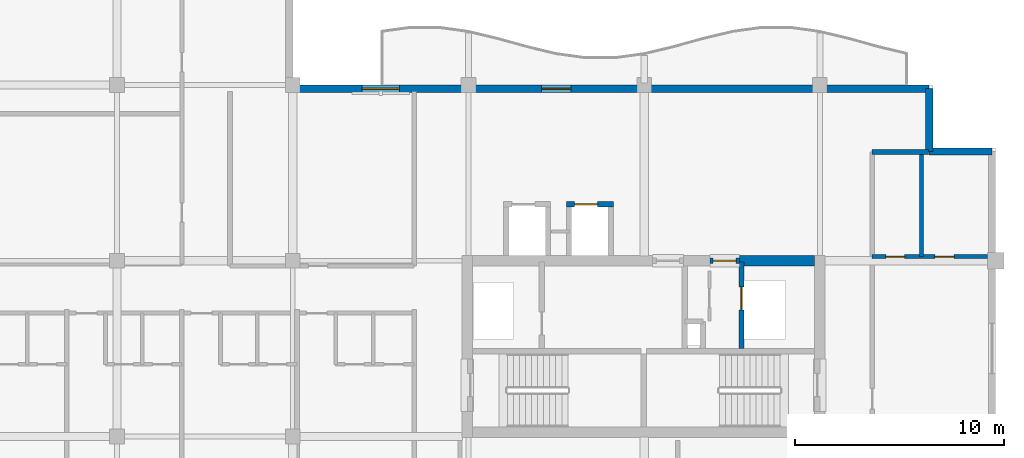
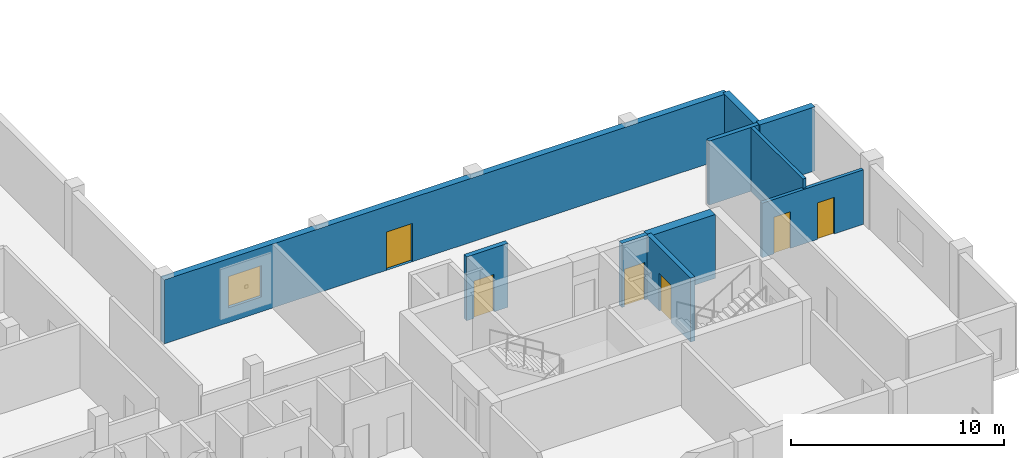
# One storey, part 5 of 12: 10 walls, 6 doors, 1 window, 7 openings.
"""IFC4 building model written with IfcOpenShell, lengths in metres."""

from ifc_helpers import new_model, si_unit, direction, frame, frame_2d, origin, place, context, subcontext, project, spatial, rectangle, extrude, material, layer, layer_set, type_object, element, fill, save


model = new_model("IFC4")

# Units and contexts
model_context = context("Model", 3, precision=1e-05, world=origin(), true_north=direction((0.0, 1.0)))
body_context = subcontext(model_context, "Body", "Model", "MODEL_VIEW")
ifc_project = project(units=[si_unit("LENGTHUNIT", "METRE"), si_unit("AREAUNIT", "SQUARE_METRE"), si_unit("VOLUMEUNIT", "CUBIC_METRE"), si_unit("PLANEANGLEUNIT", "RADIAN"), si_unit("MASSUNIT", "GRAM", prefix="KILO")], contexts=[model_context])

# Site, building, storey
site_placement = place(None, origin())
site = spatial("IfcSite", under=ifc_project, at=site_placement, CompositionType="ELEMENT")
building_placement = place(site_placement, origin())
building = spatial("IfcBuilding", under=site, at=building_placement, Name="Koriwani Terraces Tower", CompositionType="ELEMENT")
storey_placement = place(building_placement, frame((0.0, 0.0, 351.5)))
storey = spatial("IfcBuildingStorey", under=building, at=storey_placement, Name="L87", CompositionType="ELEMENT", Elevation=351.5)

# Walls
ifc_material_1 = material(Name="Concrete C50/60", Category="concrete")
ifc_layer_1 = layer(ifc_material_1, 0.5, Name="Concrete C50/60")
ifc_layer_set_1 = layer_set([ifc_layer_1], Name="Concrete C50/60")
wall_type_1 = type_object("IfcWallType", Name="WALL_CORE_RC_500", PredefinedType="SHEAR", material=ifc_layer_set_1)
wall_1_placement = place(storey_placement, frame((54.949951171875, 25.199951171875, 0.0), z_axis=(0.0, 0.0, 1.0), x_axis=(1.0, 0.0, 0.0)))
element("IfcWall", 1, at=wall_1_placement, inside=storey, type_object=wall_type_1, Name="L87 East Split Core Shear Wall N3", PredefinedType="SHEAR", context=body_context, shape_type="SweptSolid", body=[
    extrude(rectangle(XDim=3.60009765625, YDim=0.5, at=frame_2d((1.800048828125, 0.0))), origin(), (0.0, 0.0, 1.0), 3.669921875),
])
ifc_material_2 = material(Name="Autoclaved Cellular Concrete Blockwork", Category="masonry")
ifc_layer_2 = layer(ifc_material_2, 0.219970703125, Name="Autoclaved Cellular Concrete Blockwork")
ifc_layer_set_2 = layer_set([ifc_layer_2], Name="Autoclaved Cellular Concrete Blockwork")
wall_type_2 = type_object("IfcWallType", Name="WALL_DEMISING_220", PredefinedType="PARTITIONING", material=ifc_layer_set_2)
wall_2_placement = place(storey_placement, frame((61.300048828125, 30.39990234375, 0.0), z_axis=(0.0, 0.0, 1.0), x_axis=(1.0, 0.0, 0.0)))
element("IfcWall", 2, at=wall_2_placement, inside=storey, type_object=wall_type_2, Name="L87 Interior Wall WET-N-L87", PredefinedType="PARTITIONING", context=body_context, shape_type="SweptSolid", body=[
    extrude(rectangle(XDim=2.699951171875, YDim=0.219970703125, at=frame_2d((1.35009765625, 0.0))), origin(), (0.0, 0.0, 1.0), 3.669921875),
])

# Wall, openings, door, window
ifc_layer_3 = layer(ifc_material_1, 0.35009765625, Name="Concrete C50/60")
ifc_layer_set_3 = layer_set([ifc_layer_3], Name="Concrete C50/60")
wall_type_3 = type_object("IfcWallType", Name="WALL_EXT_BRUTALIST_350", PredefinedType="STANDARD", material=ifc_layer_set_3)
wall_3_placement = place(storey_placement, frame((33.425048828125, 33.425048828125, 0.0), z_axis=(0.0, 0.0, 1.0), x_axis=(1.0, 0.0, 0.0)))
wall_3 = element("IfcWall", 3, at=wall_3_placement, inside=storey, type_object=wall_type_3, Name="L87 Fair-Faced Brutalist Exterior Wall (NE)", PredefinedType="STANDARD", context=body_context, shape_type="SweptSolid", body=[
    extrude(rectangle(XDim=30.599853515625, YDim=0.35009765625, at=frame_2d((15.2998046875, 0.0))), origin(), (0.0, 0.0, 1.0), 3.669921875),
])
opening_1_placement = place(wall_3_placement, frame((12.074951171875, 0.0, 0.0)))
opening_1 = element("IfcOpeningElement", 4, at=opening_1_placement, cuts=wall_3, Name="Opening D-09", PredefinedType="OPENING", context=body_context, shape_type="SweptSolid", body=[
    extrude(rectangle(XDim=1.39990234375, YDim=2.199951171875, at=frame_2d((0.699951171875, 1.10009765625))), frame((0.0, 0.18505859375, 0.0), z_axis=(0.0, -1.0, 0.0), x_axis=(1.0, 0.0, 0.0)), (0.0, 0.0, 1.0), 0.3701171875),
])
opening_2_placement = place(wall_3_placement, frame((3.47509765625, 0.0, 0.85009765625)))
opening_2 = element("IfcOpeningElement", 5, at=opening_2_placement, cuts=wall_3, Name="Opening W-04", PredefinedType="OPENING", context=body_context, shape_type="SweptSolid", body=[
    extrude(rectangle(XDim=1.800048828125, YDim=1.800048828125, at=frame_2d((0.89990234375, 0.89990234375))), frame((0.0, 0.18505859375, 0.0), z_axis=(0.0, -1.0, 0.0), x_axis=(1.0, 0.0, 0.0)), (0.0, 0.0, 1.0), 0.3701171875),
])
ifc_material_3 = material(Name="Anodised Bronze Aluminium", Category="aluminium")
door_type_1 = type_object("IfcDoorType", Name="DOOR_BALCONY_GLAZED_1400X2200", OperationType="NOTDEFINED", PredefinedType="DOOR", material=ifc_material_3)
door_1_placement = place(opening_1_placement, origin())
door_1 = element("IfcDoor", 6, at=door_1_placement, inside=storey, type_object=door_type_1, Name="L87 Inner Court Balcony Glazed Door", OperationType="SINGLE_SWING_LEFT", OverallHeight=2.199951171875, OverallWidth=1.39990234375, PredefinedType="DOOR", context=body_context, shape_type="SweptSolid", body=[
    extrude(rectangle(XDim=1.39990234375, YDim=2.199951171875, at=frame_2d((0.699951171875, 1.10009765625))), frame((0.0, 0.02490234375, 0.0), z_axis=(0.0, -1.0, 0.0), x_axis=(1.0, 0.0, 0.0)), (0.0, 0.0, 1.0), 0.050048828125),
])
fill(opening_1, door_1)
ifc_material_4 = material(Name="Tempered Laminated Low-E Glass", Category="glass")
window_type = type_object("IfcWindowType", Name="WIN_RES_BED_1800X1800", PartitioningType="DOUBLE_PANEL_VERTICAL", PredefinedType="WINDOW", material=ifc_material_4)
window_placement = place(opening_2_placement, origin())
window = element("IfcWindow", 7, at=window_placement, inside=storey, type_object=window_type, Name="L87 Exterior Window (NE-2)", OverallHeight=1.800048828125, OverallWidth=1.800048828125, PartitioningType="SINGLE_PANEL", PredefinedType="WINDOW", context=body_context, shape_type="SweptSolid", body=[
    extrude(rectangle(XDim=1.800048828125, YDim=1.800048828125, at=frame_2d((0.89990234375, 0.89990234375))), frame((0.0, 0.030029296875, 0.0), z_axis=(0.0, -1.0, 0.0), x_axis=(1.0, 0.0, 0.0)), (0.0, 0.0, 1.0), 0.06005859375),
])
fill(opening_2, window)

# Walls
for number, where, z_axis, x_axis, name in (
    (8, (64.02490234375, 33.425048828125, 0.0), (0.0, 0.0, 1.0), (0.0, -1.0, 0.0), "L87 Fair-Faced Brutalist Exterior Wall (N10)"),
    (9, (64.02490234375, 30.425048828125, 0.0), (0.0, 0.0, 1.0), (1.0, 0.0, 0.0), "L87 Fair-Faced Brutalist Exterior Wall (N11)"),
):
    element("IfcWall", number, at=place(storey_placement, frame(where, z_axis=z_axis, x_axis=x_axis)), inside=storey, type_object=wall_type_3, Name=name, PredefinedType="STANDARD", context=body_context, shape_type="SweptSolid", body=[
        extrude(rectangle(XDim=3.0, YDim=0.35009765625, at=frame_2d((1.5, 0.0))), origin(), (0.0, 0.0, 1.0), 3.669921875),
    ])

# Wall, openings, doors
ifc_material_5 = material(Name="Fire-Rated Acoustic Gypsum Partition", Category="masonry")
ifc_layer_4 = layer(ifc_material_5, 0.179931640625, Name="Fire-Rated Acoustic Gypsum Partition")
ifc_layer_set_4 = layer_set([ifc_layer_4], Name="Fire-Rated Acoustic Gypsum Partition")
wall_type_4 = type_object("IfcWallType", Name="WALL_PLUMBING_180", PredefinedType="PLUMBINGWALL", material=ifc_layer_set_4)
wall_4_placement = place(storey_placement, frame((61.300048828125, 25.39990234375, 0.0), z_axis=(0.0, 0.0, 1.0), x_axis=(1.0, 0.0, 0.0)))
wall_4 = element("IfcWall", 10, at=wall_4_placement, inside=storey, type_object=wall_type_4, Name="L87 Interior Wall WET-SVB-L87", PredefinedType="PLUMBINGWALL", context=body_context, shape_type="SweptSolid", body=[
    extrude(rectangle(XDim=5.5, YDim=0.179931640625, at=frame_2d((2.75, 0.0))), origin(), (0.0, 0.0, 1.0), 3.126953125),
])
opening_3_placement = place(wall_4_placement, frame((0.64990234375, 0.0, 0.0)))
opening_3 = element("IfcOpeningElement", 11, at=opening_3_placement, cuts=wall_4, Name="Opening D-07", PredefinedType="OPENING", context=body_context, shape_type="SweptSolid", body=[
    extrude(rectangle(XDim=0.89990234375, YDim=2.10009765625, at=frame_2d((0.449951171875, 1.050048828125))), frame((0.0, 0.10009765625, 0.0), z_axis=(0.0, -1.0, 0.0), x_axis=(1.0, 0.0, 0.0)), (0.0, 0.0, 1.0), 0.199951171875),
])
opening_4_placement = place(wall_4_placement, frame((3.0, 0.0, 0.0)))
opening_4 = element("IfcOpeningElement", 12, at=opening_4_placement, cuts=wall_4, Name="Opening D-06", PredefinedType="OPENING", context=body_context, shape_type="SweptSolid", body=[
    extrude(rectangle(XDim=0.919921875, YDim=2.10009765625, at=frame_2d((0.4599609375, 1.050048828125))), frame((0.0, 0.10009765625, 0.0), z_axis=(0.0, -1.0, 0.0), x_axis=(1.0, 0.0, 0.0)), (0.0, 0.0, 1.0), 0.199951171875),
])
ifc_material_6 = material(Name="Architectural Oak Fire Door", Category="wood")
door_type_2 = type_object("IfcDoorType", Name="DOOR_BATH_INT_900X2100", OperationType="NOTDEFINED", PredefinedType="DOOR", material=ifc_material_6)
door_2_placement = place(opening_3_placement, origin())
door_2 = element("IfcDoor", 13, at=door_2_placement, inside=storey, type_object=door_type_2, Name="Apartment 87ET Bathroom Door", OperationType="SINGLE_SWING_LEFT", OverallHeight=2.10009765625, OverallWidth=0.89990234375, PredefinedType="DOOR", context=body_context, shape_type="SweptSolid", body=[
    extrude(rectangle(XDim=0.89990234375, YDim=2.10009765625, at=frame_2d((0.449951171875, 1.050048828125))), frame((0.0, 0.02490234375, 0.0), z_axis=(0.0, -1.0, 0.0), x_axis=(1.0, 0.0, 0.0)), (0.0, 0.0, 1.0), 0.050048828125),
])
fill(opening_3, door_2)
door_type_3 = type_object("IfcDoorType", Name="DOOR_ROOM_INT_920X2100", OperationType="NOTDEFINED", PredefinedType="DOOR", material=ifc_material_6)
door_3_placement = place(opening_4_placement, origin())
door_3 = element("IfcDoor", 14, at=door_3_placement, inside=storey, type_object=door_type_3, Name="Apartment 87ET Kitchen Door", OperationType="SINGLE_SWING_RIGHT", OverallHeight=2.10009765625, OverallWidth=0.919921875, PredefinedType="DOOR", context=body_context, shape_type="SweptSolid", body=[
    extrude(rectangle(XDim=0.919921875, YDim=2.10009765625, at=frame_2d((0.4599609375, 1.050048828125))), frame((0.0, 0.02490234375, 0.0), z_axis=(0.0, -1.0, 0.0), x_axis=(1.0, 0.0, 0.0)), (0.0, 0.0, 1.0), 0.050048828125),
])
fill(opening_4, door_3)

# Wall
wall_5_placement = place(storey_placement, frame((63.64990234375, 25.39990234375, 0.0), z_axis=(0.0, 0.0, 1.0), x_axis=(0.0, 1.0, 0.0)))
element("IfcWall", 15, at=wall_5_placement, inside=storey, type_object=wall_type_4, Name="L87 Interior Wall WET-SVCM-L87", PredefinedType="PLUMBINGWALL", context=body_context, shape_type="SweptSolid", body=[
    extrude(rectangle(XDim=5.0, YDim=0.179931640625, at=frame_2d((2.5, 0.0))), origin(), (0.0, 0.0, 1.0), 3.669921875),
])

# Wall, opening, door
ifc_material_7 = material(Name="Concrete C40/50", Category="concrete")
ifc_layer_5 = layer(ifc_material_7, 0.25, Name="Concrete C40/50")
ifc_layer_set_5 = layer_set([ifc_layer_5], Name="Concrete C40/50")
wall_type_5 = type_object("IfcWallType", Name="WALL_SHAFT_RATED_250", PredefinedType="SOLIDWALL", material=ifc_layer_set_5)
wall_6_placement = place(storey_placement, frame((55.050048828125, 21.0, 0.0), z_axis=(0.0, 0.0, 1.0), x_axis=(0.0, 1.0, 0.0)))
wall_6 = element("IfcWall", 16, at=wall_6_placement, inside=storey, type_object=wall_type_5, Name="L87 Interior Wall WIN-CE-L87-SE", PredefinedType="SOLIDWALL", context=body_context, shape_type="SweptSolid", body=[
    extrude(rectangle(XDim=4.14990234375, YDim=0.25, at=frame_2d((2.074951171875, 0.0))), origin(), (0.0, 0.0, 1.0), 3.669921875),
])
opening_5_placement = place(wall_6_placement, frame((1.85009765625, 0.0, 0.0)))
opening_5 = element("IfcOpeningElement", 17, at=opening_5_placement, cuts=wall_6, Name="Opening LD-01", PredefinedType="OPENING", context=body_context, shape_type="SweptSolid", body=[
    extrude(rectangle(XDim=1.10009765625, YDim=2.14990234375, at=frame_2d((0.550048828125, 1.074951171875))), frame((0.0, 0.135009765625, 0.0), z_axis=(0.0, -1.0, 0.0), x_axis=(1.0, 0.0, 0.0)), (0.0, 0.0, 1.0), 0.27001953125),
])
ifc_material_8 = material(Name="Steel ASTM A572 Grade 50", Category="steel")
door_type_4 = type_object("IfcDoorType", Name="DOOR_LIFT_LANDING_1100X2200", OperationType="NOTDEFINED", PredefinedType="DOOR", material=ifc_material_8)
door_4_placement = place(opening_5_placement, origin())
door_4 = element("IfcDoor", 18, at=door_4_placement, inside=storey, type_object=door_type_4, Name="L87 Goods Lift SE-02 Landing Door", OperationType="SLIDING_TO_LEFT", OverallHeight=2.14990234375, OverallWidth=1.10009765625, PredefinedType="DOOR", context=body_context, shape_type="SweptSolid", body=[
    extrude(rectangle(XDim=1.10009765625, YDim=2.14990234375, at=frame_2d((0.550048828125, 1.074951171875))), frame((0.0, 0.02490234375, 0.0), z_axis=(0.0, -1.0, 0.0), x_axis=(1.0, 0.0, 0.0)), (0.0, 0.0, 1.0), 0.050048828125),
])
fill(opening_5, door_4)

wall_7_placement = place(storey_placement, frame((53.550048828125, 25.199951171875, 0.0), z_axis=(0.0, 0.0, 1.0), x_axis=(1.0, 0.0, 0.0)))
wall_7 = element("IfcWall", 19, at=wall_7_placement, inside=storey, type_object=wall_type_5, Name="L87 Interior Wall WIN-CE-L87-NP2", PredefinedType="SOLIDWALL", context=body_context, shape_type="SweptSolid", body=[
    extrude(rectangle(XDim=1.39990234375, YDim=0.25, at=frame_2d((0.699951171875, 0.0))), origin(), (0.0, 0.0, 1.0), 3.669921875),
])
opening_6_placement = place(wall_7_placement, frame((0.14990234375, 0.0, 0.0)))
opening_6 = element("IfcOpeningElement", 20, at=opening_6_placement, cuts=wall_7, Name="Opening D-03", PredefinedType="OPENING", context=body_context, shape_type="SweptSolid", body=[
    extrude(rectangle(XDim=1.10009765625, YDim=2.14990234375, at=frame_2d((0.550048828125, 1.074951171875))), frame((0.0, 0.135009765625, 0.0), z_axis=(0.0, -1.0, 0.0), x_axis=(1.0, 0.0, 0.0)), (0.0, 0.0, 1.0), 0.27001953125),
])
door_type_5 = type_object("IfcDoorType", Name="DOOR_STAIR_FIRE_1100X2150", OperationType="NOTDEFINED", PredefinedType="DOOR", material=ifc_material_8)
door_5_placement = place(opening_6_placement, origin())
door_5 = element("IfcDoor", 21, at=door_5_placement, inside=storey, type_object=door_type_5, Name="L87 East Goods Lift Lobby Door", OperationType="SINGLE_SWING_LEFT", OverallHeight=2.14990234375, OverallWidth=1.10009765625, PredefinedType="DOOR", context=body_context, shape_type="SweptSolid", body=[
    extrude(rectangle(XDim=1.10009765625, YDim=2.14990234375, at=frame_2d((0.550048828125, 1.074951171875))), frame((0.0, 0.02490234375, 0.0), z_axis=(0.0, -1.0, 0.0), x_axis=(1.0, 0.0, 0.0)), (0.0, 0.0, 1.0), 0.050048828125),
])
fill(opening_6, door_5)

wall_8_placement = place(storey_placement, frame((46.675048828125, 27.89990234375, 0.0), z_axis=(0.0, 0.0, 1.0), x_axis=(1.0, 0.0, 0.0)))
wall_8 = element("IfcWall", 22, at=wall_8_placement, inside=storey, type_object=wall_type_5, Name="L87 Interior Wall WIN-LF-PE-H4-L87-F", PredefinedType="SOLIDWALL", context=body_context, shape_type="SweptSolid", body=[
    extrude(rectangle(XDim=2.25, YDim=0.25, at=frame_2d((1.125, 0.0))), origin(), (0.0, 0.0, 1.0), 3.669921875),
])
opening_7_placement = place(wall_8_placement, frame((0.39990234375, 0.0, 0.0)))
opening_7 = element("IfcOpeningElement", 23, at=opening_7_placement, cuts=wall_8, Name="Opening LD-01", PredefinedType="OPENING", context=body_context, shape_type="SweptSolid", body=[
    extrude(rectangle(XDim=1.10009765625, YDim=2.14990234375, at=frame_2d((0.550048828125, 1.074951171875))), frame((0.0, 0.135009765625, 0.0), z_axis=(0.0, -1.0, 0.0), x_axis=(1.0, 0.0, 0.0)), (0.0, 0.0, 1.0), 0.27001953125),
])
door_6_placement = place(opening_7_placement, origin())
door_6 = element("IfcDoor", 24, at=door_6_placement, inside=storey, type_object=door_type_4, Name="L87 Passenger Lift PE-H4 Landing Door", OperationType="SLIDING_TO_LEFT", OverallHeight=2.14990234375, OverallWidth=1.10009765625, PredefinedType="DOOR", context=body_context, shape_type="SweptSolid", body=[
    extrude(rectangle(XDim=1.10009765625, YDim=2.14990234375, at=frame_2d((0.550048828125, 1.074951171875))), frame((0.0, 0.02490234375, 0.0), z_axis=(0.0, -1.0, 0.0), x_axis=(1.0, 0.0, 0.0)), (0.0, 0.0, 1.0), 0.050048828125),
])
fill(opening_7, door_6)

save(model, "model.ifc")
